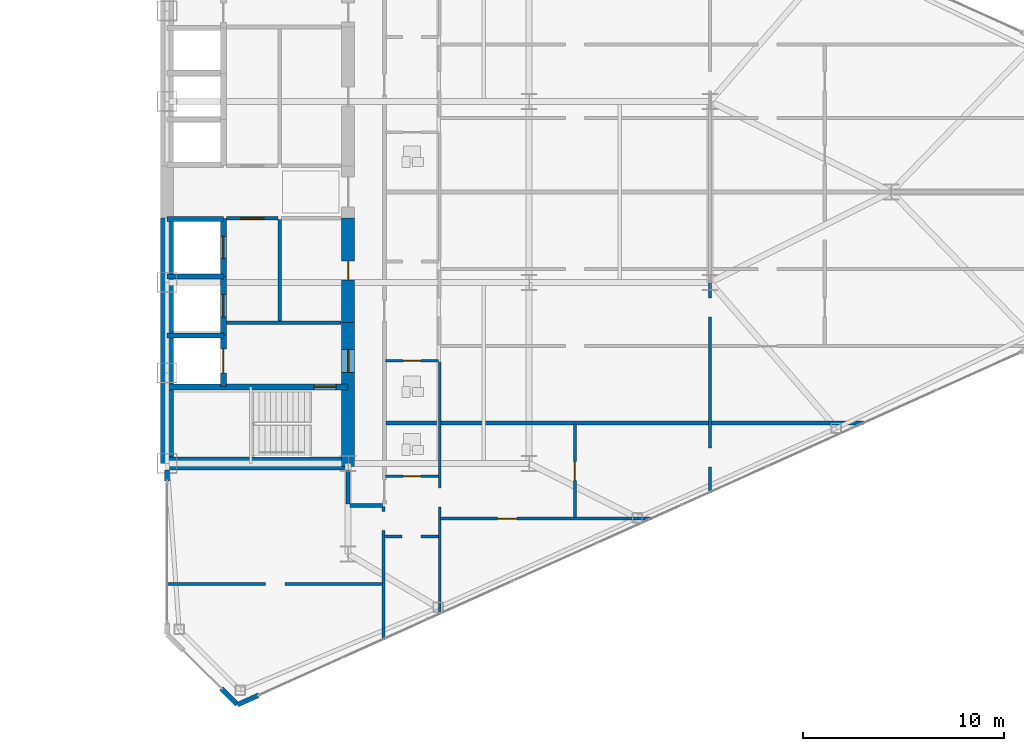
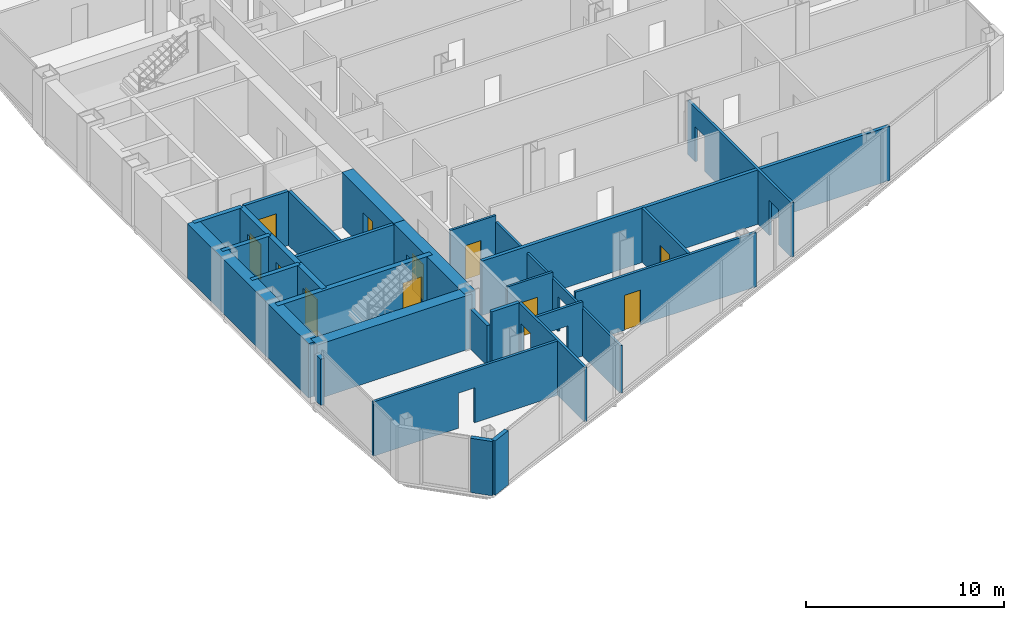
# One storey, part 22 of 27: 29 walls, 11 doors, 17 openings.
"""IFC4 building model written with IfcOpenShell, lengths in metres."""

from ifc_helpers import new_model, si_unit, direction, frame, frame_2d, origin, place, context, subcontext, project, spatial, rectangle, extrude, source, transform, mapped, material, layer, layer_set, type_object, type_shapes, element, fill, save


model = new_model("IFC4")

# Units and contexts
model_context = context("Model", 3, precision=1e-05, world=origin(), true_north=direction((0.0, 1.0)))
body_context = subcontext(model_context, "Body", "Model", "MODEL_VIEW")
ifc_project = project(units=[si_unit("LENGTHUNIT", "METRE"), si_unit("AREAUNIT", "SQUARE_METRE"), si_unit("VOLUMEUNIT", "CUBIC_METRE"), si_unit("PLANEANGLEUNIT", "RADIAN"), si_unit("MASSUNIT", "GRAM", prefix="KILO")], contexts=[model_context])

# Site, building, storey
site_placement = place(None, origin())
site = spatial("IfcSite", under=ifc_project, at=site_placement, CompositionType="ELEMENT")
building_placement = place(site_placement, origin())
building = spatial("IfcBuilding", under=site, at=building_placement, Name="Seokmaru Belvedere", CompositionType="ELEMENT")
storey_placement = place(building_placement, frame((0.0, 0.0, 83.699951171875)))
storey = spatial("IfcBuildingStorey", under=building, at=storey_placement, Name="L22", CompositionType="ELEMENT", Elevation=83.699951171875)

# Wall, opening
ifc_material_1 = material(Name="Fire-Rated Gypsum Shaftwall")
ifc_layer_1 = layer(ifc_material_1, 0.14990234375)
ifc_layer_set_1 = layer_set([ifc_layer_1], Name="Fire-Rated Gypsum Shaftwall")
wall_type_1 = type_object("IfcWallType", Name="Apartment Fire-Acoustic Room Partition 150", PredefinedType="PARTITIONING", material=ifc_layer_set_1)
wall_1_placement = place(storey_placement, frame((27.465087890625, -19.5, 0.0), z_axis=(0.0, 0.0, 1.0), x_axis=(1.0, 0.0, 0.0)))
wall_1 = element("IfcWall", 1, at=wall_1_placement, inside=storey, type_object=wall_type_1, Name="L22 Interior Partition 001", PredefinedType="PARTITIONING", context=body_context, shape_type="SweptSolid", body=[
    extrude(rectangle(XDim=10.73486328125, YDim=0.14990234375, at=frame_2d((5.367431640625, 0.0))), origin(), (0.0, 0.0, 1.0), 3.340087890625),
])
opening_1_placement = place(wall_1_placement, frame((4.93505859375, 0.0, 0.0)))
element("IfcOpeningElement", 2, at=opening_1_placement, cuts=wall_1, Name="L22 Cased Opening 033", PredefinedType="OPENING", context=body_context, shape_type="SweptSolid", body=[
    extrude(rectangle(XDim=0.949951171875, YDim=2.14990234375, at=frame_2d((0.47509765625, 1.074951171875))), frame((0.0, 0.0849609375, 0.0), z_axis=(0.0, -1.0, 0.0), x_axis=(1.0, 0.0, 0.0)), (0.0, 0.0, 1.0), 0.169921875),
])

wall_2_placement = place(storey_placement, frame((38.300048828125, -17.139892578125, 0.0), z_axis=(0.0, 0.0, 1.0), x_axis=(1.0, 0.0, 0.0)))
wall_2 = element("IfcWall", 3, at=wall_2_placement, inside=storey, type_object=wall_type_1, Name="L22 Interior Partition 002", PredefinedType="PARTITIONING", context=body_context, shape_type="SweptSolid", body=[
    extrude(rectangle(XDim=2.699951171875, YDim=0.14990234375, at=frame_2d((1.35009765625, 0.0))), origin(), (0.0, 0.0, 1.0), 3.340087890625),
])
opening_2_placement = place(wall_2_placement, frame((0.875, 0.0, 0.0)))
element("IfcOpeningElement", 4, at=opening_2_placement, cuts=wall_2, Name="L22 Cased Opening 028", PredefinedType="OPENING", context=body_context, shape_type="SweptSolid", body=[
    extrude(rectangle(XDim=0.949951171875, YDim=2.14990234375, at=frame_2d((0.47509765625, 1.074951171875))), frame((0.0, 0.0849609375, 0.0), z_axis=(0.0, -1.0, 0.0), x_axis=(1.0, 0.0, 0.0)), (0.0, 0.0, 1.0), 0.169921875),
])

# Wall, opening, door
wall_3_placement = place(storey_placement, frame((41.10009765625, -16.239990234375, 0.0), z_axis=(0.0, 0.0, 1.0), x_axis=(1.0, 0.0, 0.0)))
wall_3 = element("IfcWall", 5, at=wall_3_placement, inside=storey, type_object=wall_type_1, Name="L22 Interior Partition 003", PredefinedType="PARTITIONING", context=body_context, shape_type="SweptSolid", body=[
    extrude(rectangle(XDim=10.514892578125, YDim=0.14990234375, at=frame_2d((5.25732421875, 0.0))), origin(), (0.0, 0.0, 1.0), 3.340087890625),
])
opening_3_placement = place(wall_3_placement, frame((2.83740234375, 0.0, 0.0)))
opening_3 = element("IfcOpeningElement", 6, at=opening_3_placement, cuts=wall_3, Name="Opening D05", PredefinedType="OPENING", context=body_context, shape_type="SweptSolid", body=[
    extrude(rectangle(XDim=0.949951171875, YDim=2.14990234375, at=frame_2d((0.47509765625, 1.074951171875))), frame((0.0, 0.0849609375, 0.0), z_axis=(0.0, -1.0, 0.0), x_axis=(1.0, 0.0, 0.0)), (0.0, 0.0, 1.0), 0.169921875),
])
ifc_material_2 = material(Name="Engineered White Oak Timber", Category="wood")
door_type_1 = type_object("IfcDoorType", Name="Apartment Interior Fire-Rated Oak Door 950x2150", OperationType="NOTDEFINED", PredefinedType="DOOR", material=ifc_material_2)
shared_shape_1 = source(origin(), body_context, "Body", "SweptSolid", [
    extrude(rectangle(XDim=0.949951171875, YDim=2.14990234375, at=frame_2d((0.47509765625, 1.074951171875))), frame((0.0, 0.02490234375, 0.0), z_axis=(0.0, -1.0, 0.0), x_axis=(1.0, 0.0, 0.0)), (0.0, 0.0, 1.0), 0.050048828125),
])
type_shapes(door_type_1, [shared_shape_1])
door_1_placement = place(opening_3_placement, origin())
door_1 = element("IfcDoor", 7, at=door_1_placement, inside=storey, type_object=door_type_1, Name="L22 Interior Door 031", OperationType="SINGLE_SWING_RIGHT", OverallHeight=2.14990234375, OverallWidth=0.949951171875, PredefinedType="DOOR", context=body_context, shape_type="MappedRepresentation", body=[
    mapped(shared_shape_1, transform((0.0, 0.0, 0.0), scale=1.0)),
])
fill(opening_3, door_1)

# Wall, opening
wall_4_placement = place(storey_placement, frame((38.25, -22.27294921875, 0.0), z_axis=(0.0, 0.0, 1.0), x_axis=(0.0, 1.0, 0.0)))
wall_4 = element("IfcWall", 8, at=wall_4_placement, inside=storey, type_object=wall_type_1, Name="L22 Interior Partition 047", PredefinedType="PARTITIONING", context=body_context, shape_type="SweptSolid", body=[
    extrude(rectangle(XDim=6.623046875, YDim=0.14990234375, at=frame_2d((3.3115234375, 0.0))), origin(), (0.0, 0.0, 1.0), 3.340087890625),
])
opening_4_placement = place(wall_4_placement, frame((5.425537109375, 0.0, 0.0)))
element("IfcOpeningElement", 9, at=opening_4_placement, cuts=wall_4, Name="L22 Cased Opening 030", PredefinedType="OPENING", context=body_context, shape_type="SweptSolid", body=[
    extrude(rectangle(XDim=0.949951171875, YDim=2.14990234375, at=frame_2d((0.47509765625, 1.074951171875))), frame((0.0, 0.0849609375, 0.0), z_axis=(0.0, -1.0, 0.0), x_axis=(1.0, 0.0, 0.0)), (0.0, 0.0, 1.0), 0.169921875),
])

# Wall, opening, door
wall_5_placement = place(storey_placement, frame((47.77001953125, -16.18896484375, 0.0), z_axis=(0.0, 0.0, 1.0), x_axis=(0.0, 1.0, 0.0)))
wall_5 = element("IfcWall", 10, at=wall_5_placement, inside=storey, type_object=wall_type_1, Name="L22 Interior Partition 056", PredefinedType="PARTITIONING", context=body_context, shape_type="SweptSolid", body=[
    extrude(rectangle(XDim=4.638916015625, YDim=0.14990234375, at=frame_2d((2.3193359375, 0.0))), origin(), (0.0, 0.0, 1.0), 3.340087890625),
])
opening_5_placement = place(wall_5_placement, frame((1.844482421875, 0.0, 0.0)))
opening_5 = element("IfcOpeningElement", 11, at=opening_5_placement, cuts=wall_5, Name="Opening D05", PredefinedType="OPENING", context=body_context, shape_type="SweptSolid", body=[
    extrude(rectangle(XDim=0.949951171875, YDim=2.14990234375, at=frame_2d((0.47509765625, 1.074951171875))), frame((0.0, 0.0849609375, 0.0), z_axis=(0.0, -1.0, 0.0), x_axis=(1.0, 0.0, 0.0)), (0.0, 0.0, 1.0), 0.169921875),
])
door_2_placement = place(opening_5_placement, origin())
door_2 = element("IfcDoor", 12, at=door_2_placement, inside=storey, type_object=door_type_1, Name="L22 Interior Door 032", OperationType="SINGLE_SWING_LEFT", OverallHeight=2.14990234375, OverallWidth=0.949951171875, PredefinedType="DOOR", context=body_context, shape_type="MappedRepresentation", body=[
    mapped(shared_shape_1, transform((0.0, 0.0, 0.0), scale=1.0)),
])
fill(opening_5, door_2)

# Wall, openings
wall_6_placement = place(storey_placement, frame((54.5, -14.9599609375, 0.0), z_axis=(0.0, 0.0, 1.0), x_axis=(0.0, 1.0, 0.0)))
wall_6 = element("IfcWall", 13, at=wall_6_placement, inside=storey, type_object=wall_type_1, Name="L22 Interior Partition 058", PredefinedType="PARTITIONING", context=body_context, shape_type="SweptSolid", body=[
    extrude(rectangle(XDim=10.43994140625, YDim=0.14990234375, at=frame_2d((5.219970703125, 0.0))), origin(), (0.0, 0.0, 1.0), 3.340087890625),
])
opening_6_placement = place(wall_6_placement, frame((1.2724609375, 0.0, 0.0)))
element("IfcOpeningElement", 14, at=opening_6_placement, cuts=wall_6, Name="L22 Cased Opening 034", PredefinedType="OPENING", context=body_context, shape_type="SweptSolid", body=[
    extrude(rectangle(XDim=0.949951171875, YDim=2.14990234375, at=frame_2d((0.47509765625, 1.074951171875))), frame((0.0, 0.0849609375, 0.0), z_axis=(0.0, -1.0, 0.0), x_axis=(1.0, 0.0, 0.0)), (0.0, 0.0, 1.0), 0.169921875),
])
opening_7_placement = place(wall_6_placement, frame((8.735107421875, 0.0, 0.0)))
element("IfcOpeningElement", 15, at=opening_7_placement, cuts=wall_6, Name="L22 Cased Opening 039", PredefinedType="OPENING", context=body_context, shape_type="SweptSolid", body=[
    extrude(rectangle(XDim=0.949951171875, YDim=2.14990234375, at=frame_2d((0.47509765625, 1.074951171875))), frame((0.0, 0.0849609375, 0.0), z_axis=(0.0, -1.0, 0.0), x_axis=(1.0, 0.0, 0.0)), (0.0, 0.0, 1.0), 0.169921875),
])

# Walls
ifc_layer_2 = layer(ifc_material_1, 0.179931640625)
ifc_layer_set_2 = layer_set([ifc_layer_2], Name="Fire-Rated Gypsum Shaftwall")
wall_type_2 = type_object("IfcWallType", Name="Core Service Fire Partition 180", PredefinedType="PARTITIONING", material=ifc_layer_set_2)
wall_7_placement = place(storey_placement, frame((30.449951171875, -6.5, 0.0), z_axis=(0.0, 0.0, 1.0), x_axis=(1.0, 0.0, 0.0)))
element("IfcWall", 16, at=wall_7_placement, inside=storey, type_object=wall_type_2, Name="L22 East Firefighting Lobby Partition", PredefinedType="PARTITIONING", context=body_context, shape_type="SweptSolid", body=[
    extrude(rectangle(XDim=5.699951171875, YDim=0.179931640625, at=frame_2d((2.85009765625, 0.0))), origin(), (0.0, 0.0, 1.0), 3.340087890625),
])
wall_8_placement = place(storey_placement, frame((33.10009765625, -6.419921875, 0.0), z_axis=(0.0, 0.0, 1.0), x_axis=(0.0, 1.0, 0.0)))
element("IfcWall", 17, at=wall_8_placement, inside=storey, type_object=wall_type_2, Name="L22 East South Core Service Back Wall", PredefinedType="PARTITIONING", context=body_context, shape_type="SweptSolid", body=[
    extrude(rectangle(XDim=5.0400390625, YDim=0.179931640625, at=frame_2d((2.52001953125, 0.0))), origin(), (0.0, 0.0, 1.0), 3.340087890625),
])

# Wall, opening, door
wall_9_placement = place(storey_placement, frame((30.449951171875, -1.300048828125, 0.0), z_axis=(0.0, 0.0, 1.0), x_axis=(1.0, 0.0, 0.0)))
wall_9 = element("IfcWall", 18, at=wall_9_placement, inside=storey, type_object=wall_type_2, Name="L22 East South Lift Lobby Foyer Wall", PredefinedType="PARTITIONING", context=body_context, shape_type="SweptSolid", body=[
    extrude(rectangle(XDim=2.570068359375, YDim=0.179931640625, at=frame_2d((1.28515625, 0.0))), origin(), (0.0, 0.0, 1.0), 3.340087890625),
])
opening_8_placement = place(wall_9_placement, frame((0.7099609375, 0.0, 0.0)))
opening_8 = element("IfcOpeningElement", 19, at=opening_8_placement, cuts=wall_9, Name="Opening D02", PredefinedType="OPENING", context=body_context, shape_type="SweptSolid", body=[
    extrude(rectangle(XDim=1.14990234375, YDim=2.199951171875, at=frame_2d((0.574951171875, 1.10009765625))), frame((0.0, 0.10009765625, 0.0), z_axis=(0.0, -1.0, 0.0), x_axis=(1.0, 0.0, 0.0)), (0.0, 0.0, 1.0), 0.199951171875),
])
ifc_material_3 = material(Name="Fire-Rated Steel Leaf", Category="steel")
door_type_2 = type_object("IfcDoorType", Name="Lobby and Vestibule Fire Door 1150x2200", OperationType="NOTDEFINED", PredefinedType="DOOR", material=ifc_material_3)
shared_shape_2 = source(origin(), body_context, "Body", "SweptSolid", [
    extrude(rectangle(XDim=1.14990234375, YDim=2.199951171875, at=frame_2d((0.574951171875, 1.10009765625))), frame((0.0, 0.02490234375, 0.0), z_axis=(0.0, -1.0, 0.0), x_axis=(1.0, 0.0, 0.0)), (0.0, 0.0, 1.0), 0.050048828125),
])
type_shapes(door_type_2, [shared_shape_2])
door_3_placement = place(opening_8_placement, origin())
door_3 = element("IfcDoor", 20, at=door_3_placement, inside=storey, type_object=door_type_2, Name="L22 East South Core Foyer Door", OperationType="SINGLE_SWING_RIGHT", OverallHeight=2.199951171875, OverallWidth=1.14990234375, PredefinedType="DOOR", context=body_context, shape_type="MappedRepresentation", body=[
    mapped(shared_shape_2, transform((0.0, 0.0, 0.0), scale=1.0)),
])
fill(opening_8, door_3)

# Walls
ifc_material_4 = material(Name="Concrete C50 (50 MPa)", Category="concrete")
ifc_layer_3 = layer(ifc_material_4, 0.25)
ifc_layer_set_3 = layer_set([ifc_layer_3], Name="Concrete C50 (50 MPa)")
wall_type_3 = type_object("IfcWallType", Name="Hoistway Transverse Concrete Divider Wall 250", PredefinedType="SHEAR", material=ifc_layer_set_3)
for number, where, z_axis, x_axis, name in (
    (21, (27.5, -7.14990234375, 0.0), (0.0, 0.0, 1.0), (1.0, 0.0, 0.0), "L22 East Hoistway Divider Core Wall 1"),
    (22, (27.5, -4.199951171875, 0.0), (0.0, 0.0, 1.0), (1.0, 0.0, 0.0), "L22 East Hoistway Divider Core Wall 2"),
    (23, (27.5, -1.35009765625, 0.0), (0.0, 0.0, 1.0), (1.0, 0.0, 0.0), "L22 East Hoistway Divider Core Wall 3"),
):
    element("IfcWall", number, at=place(storey_placement, frame(where, z_axis=z_axis, x_axis=x_axis)), inside=storey, type_object=wall_type_3, Name=name, PredefinedType="SHEAR", context=body_context, shape_type="SweptSolid", body=[
        extrude(rectangle(XDim=2.800048828125, YDim=0.25, at=frame_2d((1.39990234375, 0.0))), origin(), (0.0, 0.0, 1.0), 3.340087890625),
    ])
ifc_layer_4 = layer(ifc_material_1, 0.199951171875)
ifc_layer_set_4 = layer_set([ifc_layer_4], Name="Fire-Rated Gypsum Shaftwall")
wall_type_4 = type_object("IfcWallType", Name="Inter-Tenancy Fire Compartment Partition 200", PredefinedType="PARTITIONING", material=ifc_layer_set_4)
wall_10_placement = place(storey_placement, frame((36.5849609375, -15.60009765625, 0.0), z_axis=(0.0, 0.0, 1.0), x_axis=(1.0, 0.0, 0.0)))
element("IfcWall", 24, at=wall_10_placement, inside=storey, type_object=wall_type_4, Name="L22 Interior Partition 005", PredefinedType="PARTITIONING", context=body_context, shape_type="SweptSolid", body=[
    extrude(rectangle(XDim=1.630126953125, YDim=0.199951171875, at=frame_2d((0.81494140625, 0.0))), origin(), (0.0, 0.0, 1.0), 3.340087890625),
])
wall_11_placement = place(storey_placement, frame((38.3798828125, -11.5, 0.0), z_axis=(0.0, 0.0, 1.0), x_axis=(1.0, 0.0, 0.0)))
element("IfcWall", 25, at=wall_11_placement, inside=storey, type_object=wall_type_4, Name="L22 Interior Partition 007", PredefinedType="PARTITIONING", context=body_context, shape_type="SweptSolid", body=[
    extrude(rectangle(XDim=23.7431640625, YDim=0.199951171875, at=frame_2d((11.87158203125, 0.0))), origin(), (0.0, 0.0, 1.0), 3.340087890625),
])
wall_12_placement = place(storey_placement, frame((36.5, -15.514892578125, 0.0), z_axis=(0.0, 0.0, 1.0), x_axis=(0.0, 1.0, 0.0)))
element("IfcWall", 26, at=wall_12_placement, inside=storey, type_object=wall_type_4, Name="L22 Interior Partition 045", PredefinedType="PARTITIONING", context=body_context, shape_type="SweptSolid", body=[
    extrude(rectangle(XDim=1.684814453125, YDim=0.199951171875, at=frame_2d((0.84228515625, 0.0))), origin(), (0.0, 0.0, 1.0), 2.43994140625),
])

# Wall, opening, door
ifc_layer_5 = layer(ifc_material_4, 0.300048828125)
ifc_layer_set_5 = layer_set([ifc_layer_5], Name="Concrete C50 (50 MPa)")
wall_type_5 = type_object("IfcWallType", Name="Internal Core Stair and Hoistway Wall 300", PredefinedType="SHEAR", material=ifc_layer_set_5)
wall_13_placement = place(storey_placement, frame((27.5, -9.699951171875, 0.0), z_axis=(0.0, 0.0, 1.0), x_axis=(1.0, 0.0, 0.0)))
wall_13 = element("IfcWall", 27, at=wall_13_placement, inside=storey, type_object=wall_type_5, Name="L22 East Stair ST-1 Enclosure Wall", PredefinedType="SHEAR", context=body_context, shape_type="SweptSolid", body=[
    extrude(rectangle(XDim=9.0, YDim=0.300048828125, at=frame_2d((4.5, 0.0))), origin(), (0.0, 0.0, 1.0), 3.340087890625),
])
opening_9_placement = place(wall_13_placement, frame((7.300048828125, 0.0, 0.0)))
opening_9 = element("IfcOpeningElement", 28, at=opening_9_placement, cuts=wall_13, Name="Opening D01", PredefinedType="OPENING", context=body_context, shape_type="SweptSolid", body=[
    extrude(rectangle(XDim=1.10009765625, YDim=2.199951171875, at=frame_2d((0.550048828125, 1.10009765625))), frame((0.0, 0.16015625, 0.0), z_axis=(0.0, -1.0, 0.0), x_axis=(1.0, 0.0, 0.0)), (0.0, 0.0, 1.0), 0.320068359375),
])
door_type_3 = type_object("IfcDoorType", Name="Special Escape Stair Smokeproof Fire Door 1100x2200", OperationType="NOTDEFINED", PredefinedType="DOOR", material=ifc_material_3)
shared_shape_3 = source(origin(), body_context, "Body", "SweptSolid", [
    extrude(rectangle(XDim=1.10009765625, YDim=2.199951171875, at=frame_2d((0.550048828125, 1.10009765625))), frame((0.0, 0.02490234375, 0.0), z_axis=(0.0, -1.0, 0.0), x_axis=(1.0, 0.0, 0.0)), (0.0, 0.0, 1.0), 0.050048828125),
])
type_shapes(door_type_3, [shared_shape_3])
door_4_placement = place(opening_9_placement, frame((1.10009765625, 0.0, 0.0), z_axis=(0.0, 0.0, 1.0), x_axis=(-1.0, 0.0, 0.0)))
door_4 = element("IfcDoor", 29, at=door_4_placement, inside=storey, type_object=door_type_3, Name="L22 East Special Escape Stair ST-1 Door", OperationType="SINGLE_SWING_RIGHT", OverallHeight=2.199951171875, OverallWidth=1.10009765625, PredefinedType="DOOR", context=body_context, shape_type="MappedRepresentation", body=[
    mapped(shared_shape_3, transform((0.0, 0.0, 0.0), scale=1.0)),
])
fill(opening_9, door_4)

wall_14_placement = place(storey_placement, frame((30.300048828125, -9.679931640625, 0.0), z_axis=(0.0, 0.0, 1.0), x_axis=(0.0, 1.0, 0.0)))
wall_14 = element("IfcWall", 30, at=wall_14_placement, inside=storey, type_object=wall_type_5, Name="L22 East Firefighting Lift Shaft Front Wall", PredefinedType="SHEAR", context=body_context, shape_type="SweptSolid", body=[
    extrude(rectangle(XDim=2.559814453125, YDim=0.300048828125, at=frame_2d((1.27978515625, 0.0))), origin(), (0.0, 0.0, 1.0), 3.340087890625),
])
opening_10_placement = place(wall_14_placement, frame((0.679931640625, 0.0, 0.0)))
opening_10 = element("IfcOpeningElement", 31, at=opening_10_placement, cuts=wall_14, Name="Opening LD2", PredefinedType="OPENING", context=body_context, shape_type="SweptSolid", body=[
    extrude(rectangle(XDim=1.199951171875, YDim=2.25, at=frame_2d((0.60009765625, 1.125))), frame((0.0, 0.16015625, 0.0), z_axis=(0.0, -1.0, 0.0), x_axis=(1.0, 0.0, 0.0)), (0.0, 0.0, 1.0), 0.320068359375),
])
ifc_material_5 = material(Name="Stainless Steel 316", Category="steel")
door_type_4 = type_object("IfcDoorType", Name="Firefighting Lift Sliding Landing Door 1200x2250", OperationType="DOUBLE_DOOR_SLIDING", PredefinedType="DOOR", material=ifc_material_5)
shared_shape_4 = source(origin(), body_context, "Body", "SweptSolid", [
    extrude(rectangle(XDim=1.199951171875, YDim=2.25, at=frame_2d((0.60009765625, 1.125))), frame((0.0, 0.02490234375, 0.0), z_axis=(0.0, -1.0, 0.0), x_axis=(1.0, 0.0, 0.0)), (0.0, 0.0, 1.0), 0.050048828125),
])
type_shapes(door_type_4, [shared_shape_4])
door_5_placement = place(opening_10_placement, origin())
door_5 = element("IfcDoor", 32, at=door_5_placement, inside=storey, type_object=door_type_4, Name="L22 East Firefighting Lift Landing Door", OperationType="DOUBLE_DOOR_SLIDING", OverallHeight=2.25, OverallWidth=1.199951171875, PredefinedType="DOOR", context=body_context, shape_type="MappedRepresentation", body=[
    mapped(shared_shape_4, transform((0.0, 0.0, 0.0), scale=1.0)),
])
fill(opening_10, door_5)

wall_15_placement = place(storey_placement, frame((30.300048828125, -7.1201171875, 0.0), z_axis=(0.0, 0.0, 1.0), x_axis=(0.0, 1.0, 0.0)))
wall_15 = element("IfcWall", 33, at=wall_15_placement, inside=storey, type_object=wall_type_5, Name="L22 East Low-Rise Lift PL-1 Front Wall", PredefinedType="SHEAR", context=body_context, shape_type="SweptSolid", body=[
    extrude(rectangle(XDim=2.920166015625, YDim=0.300048828125, at=frame_2d((1.4599609375, 0.0))), origin(), (0.0, 0.0, 1.0), 3.340087890625),
])
opening_11_placement = place(wall_15_placement, frame((0.909912109375, 0.0, 0.0)))
opening_11 = element("IfcOpeningElement", 34, at=opening_11_placement, cuts=wall_15, Name="Opening LD1", PredefinedType="OPENING", context=body_context, shape_type="SweptSolid", body=[
    extrude(rectangle(XDim=1.10009765625, YDim=2.199951171875, at=frame_2d((0.550048828125, 1.10009765625))), frame((0.0, 0.16015625, 0.0), z_axis=(0.0, -1.0, 0.0), x_axis=(1.0, 0.0, 0.0)), (0.0, 0.0, 1.0), 0.320068359375),
])
door_type_5 = type_object("IfcDoorType", Name="Passenger Lift Sliding Landing Door 1100x2200", OperationType="DOUBLE_DOOR_SLIDING", PredefinedType="DOOR", material=ifc_material_5)
shared_shape_5 = source(origin(), body_context, "Body", "SweptSolid", [
    extrude(rectangle(XDim=1.10009765625, YDim=2.199951171875, at=frame_2d((0.550048828125, 1.10009765625))), frame((0.0, 0.02490234375, 0.0), z_axis=(0.0, -1.0, 0.0), x_axis=(1.0, 0.0, 0.0)), (0.0, 0.0, 1.0), 0.050048828125),
])
type_shapes(door_type_5, [shared_shape_5])
door_6_placement = place(opening_11_placement, origin())
door_6 = element("IfcDoor", 35, at=door_6_placement, inside=storey, type_object=door_type_5, Name="L22 East Low-Rise Lift PL-1 Landing Door", OperationType="DOUBLE_DOOR_SLIDING", OverallHeight=2.199951171875, OverallWidth=1.10009765625, PredefinedType="DOOR", context=body_context, shape_type="MappedRepresentation", body=[
    mapped(shared_shape_5, transform((0.0, 0.0, 0.0), scale=1.0)),
])
fill(opening_11, door_6)

wall_16_placement = place(storey_placement, frame((30.300048828125, -4.199951171875, 0.0), z_axis=(0.0, 0.0, 1.0), x_axis=(0.0, 1.0, 0.0)))
wall_16 = element("IfcWall", 36, at=wall_16_placement, inside=storey, type_object=wall_type_5, Name="L22 East Low-Rise Lift PL-2 Front Wall", PredefinedType="SHEAR", context=body_context, shape_type="SweptSolid", body=[
    extrude(rectangle(XDim=2.8798828125, YDim=0.300048828125, at=frame_2d((1.43994140625, 0.0))), origin(), (0.0, 0.0, 1.0), 3.340087890625),
])
opening_12_placement = place(wall_16_placement, frame((0.889892578125, 0.0, 0.0)))
opening_12 = element("IfcOpeningElement", 37, at=opening_12_placement, cuts=wall_16, Name="Opening LD1", PredefinedType="OPENING", context=body_context, shape_type="SweptSolid", body=[
    extrude(rectangle(XDim=1.10009765625, YDim=2.199951171875, at=frame_2d((0.550048828125, 1.10009765625))), frame((0.0, 0.16015625, 0.0), z_axis=(0.0, -1.0, 0.0), x_axis=(1.0, 0.0, 0.0)), (0.0, 0.0, 1.0), 0.320068359375),
])
door_7_placement = place(opening_12_placement, origin())
door_7 = element("IfcDoor", 38, at=door_7_placement, inside=storey, type_object=door_type_5, Name="L22 East Low-Rise Lift PL-2 Landing Door", OperationType="DOUBLE_DOOR_SLIDING", OverallHeight=2.199951171875, OverallWidth=1.10009765625, PredefinedType="DOOR", context=body_context, shape_type="MappedRepresentation", body=[
    mapped(shared_shape_5, transform((0.0, 0.0, 0.0), scale=1.0)),
])
fill(opening_12, door_7)

# Walls
ifc_material_6 = material(Name="Concrete C60 (60 MPa)", Category="concrete")
ifc_layer_6 = layer(ifc_material_6, 0.64990234375)
ifc_layer_set_6 = layer_set([ifc_layer_6], Name="Concrete C60 (60 MPa)")
wall_type_6 = type_object("IfcWallType", Name="Mid-Low Reinforced Concrete Core Wall 650", PredefinedType="SHEAR", material=ifc_layer_set_6)
wall_17_placement = place(storey_placement, frame((27.5, -13.5, 0.0), z_axis=(0.0, 0.0, 1.0), x_axis=(0.0, 1.0, 0.0)))
element("IfcWall", 39, at=wall_17_placement, inside=storey, type_object=wall_type_6, Name="L22 East Portal Spine Core Wall South", PredefinedType="SHEAR", context=body_context, shape_type="SweptSolid", body=[
    extrude(rectangle(XDim=12.199951171875, YDim=0.64990234375, at=frame_2d((6.10009765625, 0.0))), origin(), (0.0, 0.0, 1.0), 3.340087890625),
])
wall_18_placement = place(storey_placement, frame((27.5, -13.5, 0.0), z_axis=(0.0, 0.0, 1.0), x_axis=(1.0, 0.0, 0.0)))
element("IfcWall", 40, at=wall_18_placement, inside=storey, type_object=wall_type_6, Name="L22 East South Core Wall", PredefinedType="SHEAR", context=body_context, shape_type="SweptSolid", body=[
    extrude(rectangle(XDim=9.0, YDim=0.64990234375, at=frame_2d((4.5, 0.0))), origin(), (0.0, 0.0, 1.0), 3.340087890625),
])

# Wall, opening, door
wall_19_placement = place(storey_placement, frame((36.5, -13.64990234375, 0.0), z_axis=(0.0, 0.0, 1.0), x_axis=(0.0, 1.0, 0.0)))
wall_19 = element("IfcWall", 41, at=wall_19_placement, inside=storey, type_object=wall_type_6, Name="L22 East West Core Wall FF", PredefinedType="SHEAR", context=body_context, shape_type="SweptSolid", body=[
    extrude(rectangle(XDim=7.14990234375, YDim=0.64990234375, at=frame_2d((3.574951171875, 0.0))), origin(), (0.0, 0.0, 1.0), 3.340087890625),
])
opening_13_placement = place(wall_19_placement, frame((4.675048828125, 0.0, 0.0)))
opening_13 = element("IfcOpeningElement", 42, at=opening_13_placement, cuts=wall_19, Name="Opening D02", PredefinedType="OPENING", context=body_context, shape_type="SweptSolid", body=[
    extrude(rectangle(XDim=1.14990234375, YDim=2.199951171875, at=frame_2d((0.574951171875, 1.10009765625))), frame((0.0, 0.3349609375, 0.0), z_axis=(0.0, -1.0, 0.0), x_axis=(1.0, 0.0, 0.0)), (0.0, 0.0, 1.0), 0.669921875),
])
door_8_placement = place(opening_13_placement, origin())
door_8 = element("IfcDoor", 43, at=door_8_placement, inside=storey, type_object=door_type_2, Name="L22 East Firefighting Lobby Door", OperationType="SINGLE_SWING_RIGHT", OverallHeight=2.199951171875, OverallWidth=1.14990234375, PredefinedType="DOOR", context=body_context, shape_type="MappedRepresentation", body=[
    mapped(shared_shape_2, transform((0.0, 0.0, 0.0), scale=1.0)),
])
fill(opening_13, door_8)

wall_20_placement = place(storey_placement, frame((36.5, -6.5, 0.0), z_axis=(0.0, 0.0, 1.0), x_axis=(0.0, 1.0, 0.0)))
wall_20 = element("IfcWall", 44, at=wall_20_placement, inside=storey, type_object=wall_type_6, Name="L22 East West Core Wall CS1", PredefinedType="SHEAR", context=body_context, shape_type="SweptSolid", body=[
    extrude(rectangle(XDim=5.199951171875, YDim=0.64990234375, at=frame_2d((2.60009765625, 0.0))), origin(), (0.0, 0.0, 1.0), 3.340087890625),
])
opening_14_placement = place(wall_20_placement, frame((2.125, 0.0, 0.0)))
opening_14 = element("IfcOpeningElement", 45, at=opening_14_placement, cuts=wall_20, Name="Opening D04", PredefinedType="OPENING", context=body_context, shape_type="SweptSolid", body=[
    extrude(rectangle(XDim=0.949951171875, YDim=2.14990234375, at=frame_2d((0.47509765625, 1.074951171875))), frame((0.0, 0.3349609375, 0.0), z_axis=(0.0, -1.0, 0.0), x_axis=(1.0, 0.0, 0.0)), (0.0, 0.0, 1.0), 0.669921875),
])
door_type_6 = type_object("IfcDoorType", Name="Core Service Room Fire Door 950x2150", OperationType="NOTDEFINED", PredefinedType="DOOR", material=ifc_material_3)
shared_shape_6 = source(origin(), body_context, "Body", "SweptSolid", [
    extrude(rectangle(XDim=0.949951171875, YDim=2.14990234375, at=frame_2d((0.47509765625, 1.074951171875))), frame((0.0, 0.02490234375, 0.0), z_axis=(0.0, -1.0, 0.0), x_axis=(1.0, 0.0, 0.0)), (0.0, 0.0, 1.0), 0.050048828125),
])
type_shapes(door_type_6, [shared_shape_6])
door_9_placement = place(opening_14_placement, origin())
door_9 = element("IfcDoor", 46, at=door_9_placement, inside=storey, type_object=door_type_6, Name="L22 East Core Service Room Door 1", OperationType="SINGLE_SWING_RIGHT", OverallHeight=2.14990234375, OverallWidth=0.949951171875, PredefinedType="DOOR", context=body_context, shape_type="MappedRepresentation", body=[
    mapped(shared_shape_6, transform((0.0, 0.0, 0.0), scale=1.0)),
])
fill(opening_14, door_9)

ifc_layer_7 = layer(ifc_material_1, 0.1298828125)
ifc_layer_set_7 = layer_set([ifc_layer_7], Name="Fire-Rated Gypsum Shaftwall")
wall_type_7 = type_object("IfcWallType", Name="Moisture-Resistant Fire-Rated Bathroom Partition 130", PredefinedType="PARTITIONING", material=ifc_layer_set_7)
wall_21_placement = place(storey_placement, frame((38.35009765625, -14.139892578125, 0.0), z_axis=(0.0, 0.0, 1.0), x_axis=(1.0, 0.0, 0.0)))
wall_21 = element("IfcWall", 47, at=wall_21_placement, inside=storey, type_object=wall_type_7, Name="L22 Interior Partition 006", PredefinedType="PARTITIONING", context=body_context, shape_type="SweptSolid", body=[
    extrude(rectangle(XDim=2.64990234375, YDim=0.1298828125, at=frame_2d((1.324951171875, 0.0))), origin(), (0.0, 0.0, 1.0), 3.340087890625),
])
opening_15_placement = place(wall_21_placement, frame((0.885009765625, 0.0, 0.0)))
opening_15 = element("IfcOpeningElement", 48, at=opening_15_placement, cuts=wall_21, Name="Opening D06", PredefinedType="OPENING", context=body_context, shape_type="SweptSolid", body=[
    extrude(rectangle(XDim=0.8798828125, YDim=2.10009765625, at=frame_2d((0.43994140625, 1.050048828125))), frame((0.0, 0.074951171875, 0.0), z_axis=(0.0, -1.0, 0.0), x_axis=(1.0, 0.0, 0.0)), (0.0, 0.0, 1.0), 0.14990234375),
])
door_type_7 = type_object("IfcDoorType", Name="Bathroom and Restroom Fire-Rated Door 880x2100", OperationType="NOTDEFINED", PredefinedType="DOOR", material=ifc_material_2)
shared_shape_7 = source(origin(), body_context, "Body", "SweptSolid", [
    extrude(rectangle(XDim=0.8798828125, YDim=2.10009765625, at=frame_2d((0.43994140625, 1.050048828125))), frame((0.0, 0.02490234375, 0.0), z_axis=(0.0, -1.0, 0.0), x_axis=(1.0, 0.0, 0.0)), (0.0, 0.0, 1.0), 0.050048828125),
])
type_shapes(door_type_7, [shared_shape_7])
door_10_placement = place(opening_15_placement, origin())
door_10 = element("IfcDoor", 49, at=door_10_placement, inside=storey, type_object=door_type_7, Name="L22 Interior Door 027", OperationType="SINGLE_SWING_RIGHT", OverallHeight=2.10009765625, OverallWidth=0.8798828125, PredefinedType="DOOR", context=body_context, shape_type="MappedRepresentation", body=[
    mapped(shared_shape_7, transform((0.0, 0.0, 0.0), scale=1.0)),
])
fill(opening_15, door_10)

wall_22_placement = place(storey_placement, frame((38.35009765625, -8.39990234375, 0.0), z_axis=(0.0, 0.0, 1.0), x_axis=(1.0, 0.0, 0.0)))
wall_22 = element("IfcWall", 50, at=wall_22_placement, inside=storey, type_object=wall_type_7, Name="L22 Interior Partition 009", PredefinedType="PARTITIONING", context=body_context, shape_type="SweptSolid", body=[
    extrude(rectangle(XDim=2.64990234375, YDim=0.1298828125, at=frame_2d((1.324951171875, 0.0))), origin(), (0.0, 0.0, 1.0), 3.340087890625),
])
opening_16_placement = place(wall_22_placement, frame((0.885009765625, 0.0, 0.0)))
opening_16 = element("IfcOpeningElement", 51, at=opening_16_placement, cuts=wall_22, Name="Opening D06", PredefinedType="OPENING", context=body_context, shape_type="SweptSolid", body=[
    extrude(rectangle(XDim=0.8798828125, YDim=2.10009765625, at=frame_2d((0.43994140625, 1.050048828125))), frame((0.0, 0.074951171875, 0.0), z_axis=(0.0, -1.0, 0.0), x_axis=(1.0, 0.0, 0.0)), (0.0, 0.0, 1.0), 0.14990234375),
])
door_11_placement = place(opening_16_placement, origin())
door_11 = element("IfcDoor", 52, at=door_11_placement, inside=storey, type_object=door_type_7, Name="L22 Interior Door 036", OperationType="SINGLE_SWING_RIGHT", OverallHeight=2.10009765625, OverallWidth=0.8798828125, PredefinedType="DOOR", context=body_context, shape_type="MappedRepresentation", body=[
    mapped(shared_shape_7, transform((0.0, 0.0, 0.0), scale=1.0)),
])
fill(opening_16, door_11)

# Wall, opening
wall_23_placement = place(storey_placement, frame((41.050048828125, -21.011962890625, 0.0), z_axis=(0.0, 0.0, 1.0), x_axis=(0.0, 1.0, 0.0)))
wall_23 = element("IfcWall", 53, at=wall_23_placement, inside=storey, type_object=wall_type_7, Name="L22 Interior Partition 050", PredefinedType="PARTITIONING", context=body_context, shape_type="SweptSolid", body=[
    extrude(rectangle(XDim=12.56494140625, YDim=0.1298828125, at=frame_2d((6.282470703125, 0.0))), origin(), (0.0, 0.0, 1.0), 2.93994140625),
])
opening_17_placement = place(wall_23_placement, frame((5.34521484375, 0.0, 0.0)))
element("IfcOpeningElement", 54, at=opening_17_placement, cuts=wall_23, Name="L22 Cased Opening 029", PredefinedType="OPENING", context=body_context, shape_type="SweptSolid", body=[
    extrude(rectangle(XDim=0.949951171875, YDim=2.14990234375, at=frame_2d((0.47509765625, 1.074951171875))), frame((0.0, 0.074951171875, 0.0), z_axis=(0.0, -1.0, 0.0), x_axis=(1.0, 0.0, 0.0)), (0.0, 0.0, 1.0), 0.14990234375),
])

# Walls
ifc_material_7 = material(Name="Anodised Bronze Aluminium", Category="aluminium")
ifc_layer_8 = layer(ifc_material_7, 0.239990234375)
ifc_layer_set_8 = layer_set([ifc_layer_8], Name="Anodised Bronze Aluminium")
wall_type_8 = type_object("IfcWallType", Name="Tower Corner Spandrel Closure Wall 240", PredefinedType="SOLIDWALL", material=ifc_layer_set_8)
wall_24_placement = place(storey_placement, frame((31.009033203125, -25.495849609375, 0.0), z_axis=(0.0, 0.0, 1.0), x_axis=(0.911929519623, 0.410346866979, 0.0)))
element("IfcWall", 55, at=wall_24_placement, inside=storey, type_object=wall_type_8, Name="L22 E Corner Closure Pier 1A", PredefinedType="SOLIDWALL", context=body_context, shape_type="SweptSolid", body=[
    extrude(rectangle(XDim=1.139892578125, YDim=0.239990234375, at=frame_2d((0.56982421875, 0.0))), origin(), (0.0, 0.0, 1.0), 3.340087890625),
])
wall_25_placement = place(storey_placement, frame((27.5, -14.3798828125, 0.0), z_axis=(0.0, 0.0, 1.0), x_axis=(0.0, 1.0, 0.0)))
element("IfcWall", 56, at=wall_25_placement, inside=storey, type_object=wall_type_8, Name="L22 E Spine Closure Pier 1B", PredefinedType="SOLIDWALL", context=body_context, shape_type="SweptSolid", body=[
    extrude(rectangle(XDim=0.5498046875, YDim=0.239990234375, at=frame_2d((0.27490234375, 0.0))), origin(), (0.0, 0.0, 1.0), 2.840087890625),
])
wall_26_placement = place(storey_placement, frame((30.186767578125, -24.686767578125, 0.0), z_axis=(0.0, 0.0, 1.0), x_axis=(0.707106781187, -0.707106781187, 0.0)))
element("IfcWall", 57, at=wall_26_placement, inside=storey, type_object=wall_type_8, Name="L22 E Corner Closure Pier 6B", PredefinedType="SOLIDWALL", context=body_context, shape_type="SweptSolid", body=[
    extrude(rectangle(XDim=1.14013671875, YDim=0.239990234375, at=frame_2d((0.570068359375, 0.0))), origin(), (0.0, 0.0, 1.0), 3.340087890625),
])

save(model, "model.ifc")
